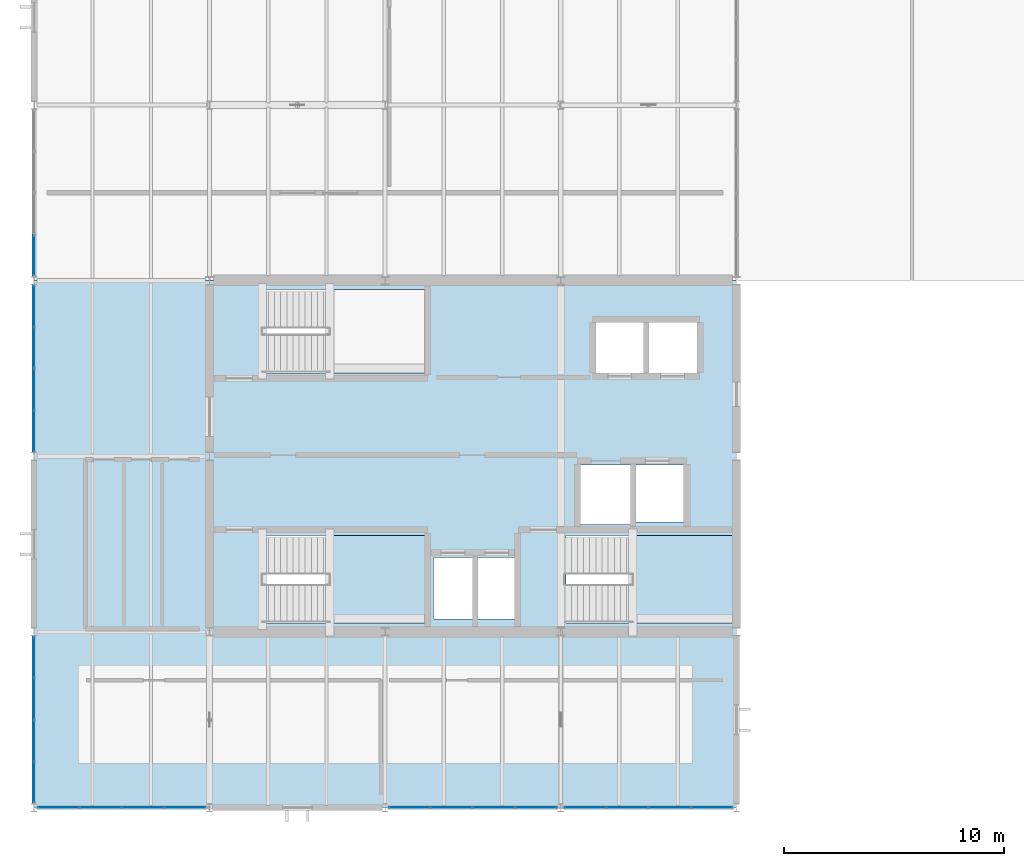
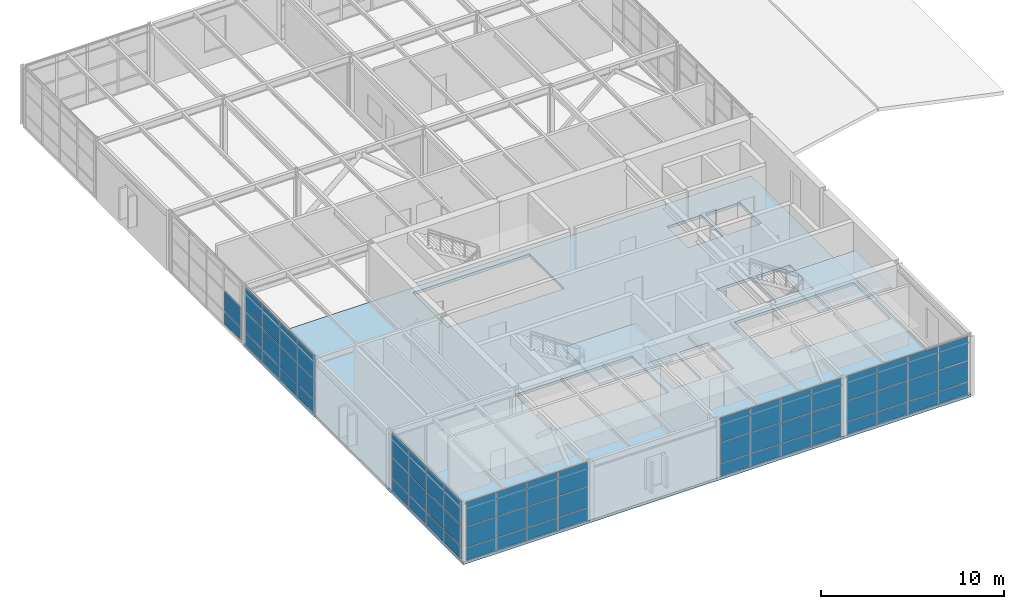
# One storey, part 13 of 20: 62 plates, 3 slabs, 8 elements without a shape of their own.
"""IFC4 building model written with IfcOpenShell, lengths in metres."""

from ifc_helpers import new_model, si_unit, direction, frame, origin, origin_2d, place, context, subcontext, project, spatial, polyline, rectangle, outline, extrude, material, layer, layer_set, type_object, element, aggregate, save


model = new_model("IFC4")

# Units and contexts
model_context = context("Model", 3, precision=1e-05, world=origin(), true_north=direction((0.0, 1.0)))
body_context = subcontext(model_context, "Body", "Model", "MODEL_VIEW")
ifc_project = project(units=[si_unit("LENGTHUNIT", "METRE"), si_unit("AREAUNIT", "SQUARE_METRE"), si_unit("VOLUMEUNIT", "CUBIC_METRE"), si_unit("PLANEANGLEUNIT", "RADIAN"), si_unit("MASSUNIT", "GRAM", prefix="KILO")], contexts=[model_context])

# Site, building, storey
site_placement = place(None, origin())
site = spatial("IfcSite", under=ifc_project, at=site_placement, CompositionType="ELEMENT")
building_placement = place(site_placement, origin())
building = spatial("IfcBuilding", under=site, at=building_placement, Name="Varnela Railside Interchange", CompositionType="ELEMENT")
storey_placement = place(building_placement, frame((0.0, 0.0, 28.0)))
storey = spatial("IfcBuildingStorey", under=building, at=storey_placement, Name="L06", CompositionType="ELEMENT", Elevation=28.0)

# Curtain wall, plates
ifc_material_1 = material(Name="Aluminium 6063-T6", Category="aluminium")
ifc_layer_1 = layer(ifc_material_1, 0.035888671875)
ifc_layer_set_1 = layer_set([ifc_layer_1], Name="Aluminium 6063-T6")
curtain_wall_type = type_object("IfcCurtainWallType", Name="Operations Wing Facade Curtain Wall CW-03", PredefinedType="USERDEFINED", material=ifc_layer_set_1)
curtain_wall_1_placement = place(storey_placement, origin())
curtain_wall_1 = element("IfcCurtainWall", 1, at=curtain_wall_1_placement, inside=storey, type_object=curtain_wall_type, Name="Curtain Wall CW-03 (L06) (CW-137)", ObjectType="CURTAIN WALL", PredefinedType="USERDEFINED")
ifc_material_2 = material(Name="Glass laminated double", Category="glass")
ifc_layer_2 = layer(ifc_material_2, 0.0400390625)
ifc_layer_set_2 = layer_set([ifc_layer_2], Name="Glass laminated double")
plate_type = type_object("IfcPlateType", Name="Acoustic Laminated Vision GL-03", PredefinedType="CURTAIN_PANEL", material=ifc_layer_set_2)
plate_1_placement = place(storey_placement, frame((34.888671875, 46.0, 0.06005859375), z_axis=(0.0, 0.0, 1.0), x_axis=(-1.0, 0.0, 0.0)))
plate_1 = element("IfcPlate", 2, at=plate_1_placement, type_object=plate_type, Name="CW-03 panel 1.1", PredefinedType="CURTAIN_PANEL", context=body_context, shape_type="SweptSolid", body=[
    extrude(rectangle(XDim=1.845703125, YDim=0.0400390625, at=origin_2d()), origin(), (0.0, 0.0, 1.0), 0.81005859375),
])
plate_2_placement = place(storey_placement, frame((34.888671875, 46.0, 0.93017578125), z_axis=(0.0, 0.0, 1.0), x_axis=(-1.0, 0.0, 0.0)))
plate_2 = element("IfcPlate", 3, at=plate_2_placement, type_object=plate_type, Name="CW-03 panel 1.2", PredefinedType="CURTAIN_PANEL", context=body_context, shape_type="SweptSolid", body=[
    extrude(rectangle(XDim=1.845703125, YDim=0.0400390625, at=origin_2d()), origin(), (0.0, 0.0, 1.0), 1.348388671875),
])
plate_3_placement = place(storey_placement, frame((34.888671875, 46.0, 2.33837890625), z_axis=(0.0, 0.0, 1.0), x_axis=(-1.0, 0.0, 0.0)))
plate_3 = element("IfcPlate", 4, at=plate_3_placement, type_object=plate_type, Name="CW-03 panel 1.3", PredefinedType="CURTAIN_PANEL", context=body_context, shape_type="SweptSolid", body=[
    extrude(rectangle(XDim=1.845703125, YDim=0.0400390625, at=origin_2d()), origin(), (0.0, 0.0, 1.0), 1.58154296875),
])
plate_4_placement = place(storey_placement, frame((32.9677734375, 46.0, 0.06005859375), z_axis=(0.0, 0.0, 1.0), x_axis=(-1.0, 0.0, 0.0)))
plate_4 = element("IfcPlate", 5, at=plate_4_placement, type_object=plate_type, Name="CW-03 panel 2.1", PredefinedType="CURTAIN_PANEL", context=body_context, shape_type="SweptSolid", body=[
    extrude(rectangle(XDim=1.875732421875, YDim=0.0400390625, at=origin_2d()), origin(), (0.0, 0.0, 1.0), 0.81005859375),
])
plate_5_placement = place(storey_placement, frame((32.9677734375, 46.0, 0.93017578125), z_axis=(0.0, 0.0, 1.0), x_axis=(-1.0, 0.0, 0.0)))
plate_5 = element("IfcPlate", 6, at=plate_5_placement, type_object=plate_type, Name="CW-03 panel 2.2", PredefinedType="CURTAIN_PANEL", context=body_context, shape_type="SweptSolid", body=[
    extrude(rectangle(XDim=1.875732421875, YDim=0.0400390625, at=origin_2d()), origin(), (0.0, 0.0, 1.0), 1.348388671875),
])
plate_6_placement = place(storey_placement, frame((32.9677734375, 46.0, 2.33837890625), z_axis=(0.0, 0.0, 1.0), x_axis=(-1.0, 0.0, 0.0)))
plate_6 = element("IfcPlate", 7, at=plate_6_placement, type_object=plate_type, Name="CW-03 panel 2.3", PredefinedType="CURTAIN_PANEL", context=body_context, shape_type="SweptSolid", body=[
    extrude(rectangle(XDim=1.875732421875, YDim=0.0400390625, at=origin_2d()), origin(), (0.0, 0.0, 1.0), 1.58154296875),
])
plate_7_placement = place(storey_placement, frame((31.0322265625, 46.0, 0.06005859375), z_axis=(0.0, 0.0, 1.0), x_axis=(-1.0, 0.0, 0.0)))
plate_7 = element("IfcPlate", 8, at=plate_7_placement, type_object=plate_type, Name="CW-03 panel 3.1", PredefinedType="CURTAIN_PANEL", context=body_context, shape_type="SweptSolid", body=[
    extrude(rectangle(XDim=1.875732421875, YDim=0.0400390625, at=origin_2d()), origin(), (0.0, 0.0, 1.0), 0.81005859375),
])
plate_8_placement = place(storey_placement, frame((31.0322265625, 46.0, 0.93017578125), z_axis=(0.0, 0.0, 1.0), x_axis=(-1.0, 0.0, 0.0)))
plate_8 = element("IfcPlate", 9, at=plate_8_placement, type_object=plate_type, Name="CW-03 panel 3.2", PredefinedType="CURTAIN_PANEL", context=body_context, shape_type="SweptSolid", body=[
    extrude(rectangle(XDim=1.875732421875, YDim=0.0400390625, at=origin_2d()), origin(), (0.0, 0.0, 1.0), 1.348388671875),
])
plate_9_placement = place(storey_placement, frame((31.0322265625, 46.0, 2.33837890625), z_axis=(0.0, 0.0, 1.0), x_axis=(-1.0, 0.0, 0.0)))
plate_9 = element("IfcPlate", 10, at=plate_9_placement, type_object=plate_type, Name="CW-03 panel 3.3", PredefinedType="CURTAIN_PANEL", context=body_context, shape_type="SweptSolid", body=[
    extrude(rectangle(XDim=1.875732421875, YDim=0.0400390625, at=origin_2d()), origin(), (0.0, 0.0, 1.0), 1.58154296875),
])
plate_10_placement = place(storey_placement, frame((29.111328125, 46.0, 0.06005859375), z_axis=(0.0, 0.0, 1.0), x_axis=(-1.0, 0.0, 0.0)))
plate_10 = element("IfcPlate", 11, at=plate_10_placement, type_object=plate_type, Name="CW-03 panel 4.1", PredefinedType="CURTAIN_PANEL", context=body_context, shape_type="SweptSolid", body=[
    extrude(rectangle(XDim=1.845703125, YDim=0.0400390625, at=origin_2d()), origin(), (0.0, 0.0, 1.0), 0.81005859375),
])
plate_11_placement = place(storey_placement, frame((29.111328125, 46.0, 0.93017578125), z_axis=(0.0, 0.0, 1.0), x_axis=(-1.0, 0.0, 0.0)))
plate_11 = element("IfcPlate", 12, at=plate_11_placement, type_object=plate_type, Name="CW-03 panel 4.2", PredefinedType="CURTAIN_PANEL", context=body_context, shape_type="SweptSolid", body=[
    extrude(rectangle(XDim=1.845703125, YDim=0.0400390625, at=origin_2d()), origin(), (0.0, 0.0, 1.0), 1.348388671875),
])
plate_12_placement = place(storey_placement, frame((29.111328125, 46.0, 2.33837890625), z_axis=(0.0, 0.0, 1.0), x_axis=(-1.0, 0.0, 0.0)))
plate_12 = element("IfcPlate", 13, at=plate_12_placement, type_object=plate_type, Name="CW-03 panel 4.3", PredefinedType="CURTAIN_PANEL", context=body_context, shape_type="SweptSolid", body=[
    extrude(rectangle(XDim=1.845703125, YDim=0.0400390625, at=origin_2d()), origin(), (0.0, 0.0, 1.0), 1.58154296875),
])
aggregate(curtain_wall_1, [plate_1, plate_2, plate_3, plate_4, plate_5, plate_6, plate_7, plate_8, plate_9, plate_10, plate_11, plate_12])

curtain_wall_2_placement = place(storey_placement, origin())
curtain_wall_2 = element("IfcCurtainWall", 14, at=curtain_wall_2_placement, inside=storey, type_object=curtain_wall_type, Name="Curtain Wall CW-03 (L06) (CW-144)", ObjectType="CURTAIN WALL", PredefinedType="USERDEFINED")
plate_13_placement = place(storey_placement, frame((26.888671875, 46.0, 0.06005859375), z_axis=(0.0, 0.0, 1.0), x_axis=(-1.0, 0.0, 0.0)))
plate_13 = element("IfcPlate", 15, at=plate_13_placement, type_object=plate_type, Name="CW-03 panel 1.1", PredefinedType="CURTAIN_PANEL", context=body_context, shape_type="SweptSolid", body=[
    extrude(rectangle(XDim=1.845703125, YDim=0.0400390625, at=origin_2d()), origin(), (0.0, 0.0, 1.0), 0.81005859375),
])
plate_14_placement = place(storey_placement, frame((26.888671875, 46.0, 0.93017578125), z_axis=(0.0, 0.0, 1.0), x_axis=(-1.0, 0.0, 0.0)))
plate_14 = element("IfcPlate", 16, at=plate_14_placement, type_object=plate_type, Name="CW-03 panel 1.2", PredefinedType="CURTAIN_PANEL", context=body_context, shape_type="SweptSolid", body=[
    extrude(rectangle(XDim=1.845703125, YDim=0.0400390625, at=origin_2d()), origin(), (0.0, 0.0, 1.0), 1.348388671875),
])
plate_15_placement = place(storey_placement, frame((26.888671875, 46.0, 2.33837890625), z_axis=(0.0, 0.0, 1.0), x_axis=(-1.0, 0.0, 0.0)))
plate_15 = element("IfcPlate", 17, at=plate_15_placement, type_object=plate_type, Name="CW-03 panel 1.3", PredefinedType="CURTAIN_PANEL", context=body_context, shape_type="SweptSolid", body=[
    extrude(rectangle(XDim=1.845703125, YDim=0.0400390625, at=origin_2d()), origin(), (0.0, 0.0, 1.0), 1.58154296875),
])
plate_16_placement = place(storey_placement, frame((24.9677734375, 46.0, 0.06005859375), z_axis=(0.0, 0.0, 1.0), x_axis=(-1.0, 0.0, 0.0)))
plate_16 = element("IfcPlate", 18, at=plate_16_placement, type_object=plate_type, Name="CW-03 panel 2.1", PredefinedType="CURTAIN_PANEL", context=body_context, shape_type="SweptSolid", body=[
    extrude(rectangle(XDim=1.875732421875, YDim=0.0400390625, at=origin_2d()), origin(), (0.0, 0.0, 1.0), 0.81005859375),
])
plate_17_placement = place(storey_placement, frame((24.9677734375, 46.0, 0.93017578125), z_axis=(0.0, 0.0, 1.0), x_axis=(-1.0, 0.0, 0.0)))
plate_17 = element("IfcPlate", 19, at=plate_17_placement, type_object=plate_type, Name="CW-03 panel 2.2", PredefinedType="CURTAIN_PANEL", context=body_context, shape_type="SweptSolid", body=[
    extrude(rectangle(XDim=1.875732421875, YDim=0.0400390625, at=origin_2d()), origin(), (0.0, 0.0, 1.0), 1.348388671875),
])
plate_18_placement = place(storey_placement, frame((24.9677734375, 46.0, 2.33837890625), z_axis=(0.0, 0.0, 1.0), x_axis=(-1.0, 0.0, 0.0)))
plate_18 = element("IfcPlate", 20, at=plate_18_placement, type_object=plate_type, Name="CW-03 panel 2.3", PredefinedType="CURTAIN_PANEL", context=body_context, shape_type="SweptSolid", body=[
    extrude(rectangle(XDim=1.875732421875, YDim=0.0400390625, at=origin_2d()), origin(), (0.0, 0.0, 1.0), 1.58154296875),
])
plate_19_placement = place(storey_placement, frame((23.0322265625, 46.0, 0.06005859375), z_axis=(0.0, 0.0, 1.0), x_axis=(-1.0, 0.0, 0.0)))
plate_19 = element("IfcPlate", 21, at=plate_19_placement, type_object=plate_type, Name="CW-03 panel 3.1", PredefinedType="CURTAIN_PANEL", context=body_context, shape_type="SweptSolid", body=[
    extrude(rectangle(XDim=1.875732421875, YDim=0.0400390625, at=origin_2d()), origin(), (0.0, 0.0, 1.0), 0.81005859375),
])
plate_20_placement = place(storey_placement, frame((23.0322265625, 46.0, 0.93017578125), z_axis=(0.0, 0.0, 1.0), x_axis=(-1.0, 0.0, 0.0)))
plate_20 = element("IfcPlate", 22, at=plate_20_placement, type_object=plate_type, Name="CW-03 panel 3.2", PredefinedType="CURTAIN_PANEL", context=body_context, shape_type="SweptSolid", body=[
    extrude(rectangle(XDim=1.875732421875, YDim=0.0400390625, at=origin_2d()), origin(), (0.0, 0.0, 1.0), 1.348388671875),
])
plate_21_placement = place(storey_placement, frame((23.0322265625, 46.0, 2.33837890625), z_axis=(0.0, 0.0, 1.0), x_axis=(-1.0, 0.0, 0.0)))
plate_21 = element("IfcPlate", 23, at=plate_21_placement, type_object=plate_type, Name="CW-03 panel 3.3", PredefinedType="CURTAIN_PANEL", context=body_context, shape_type="SweptSolid", body=[
    extrude(rectangle(XDim=1.875732421875, YDim=0.0400390625, at=origin_2d()), origin(), (0.0, 0.0, 1.0), 1.58154296875),
])
plate_22_placement = place(storey_placement, frame((21.111328125, 46.0, 0.06005859375), z_axis=(0.0, 0.0, 1.0), x_axis=(-1.0, 0.0, 0.0)))
plate_22 = element("IfcPlate", 24, at=plate_22_placement, type_object=plate_type, Name="CW-03 panel 4.1", PredefinedType="CURTAIN_PANEL", context=body_context, shape_type="SweptSolid", body=[
    extrude(rectangle(XDim=1.845703125, YDim=0.0400390625, at=origin_2d()), origin(), (0.0, 0.0, 1.0), 0.81005859375),
])
plate_23_placement = place(storey_placement, frame((21.111328125, 46.0, 0.93017578125), z_axis=(0.0, 0.0, 1.0), x_axis=(-1.0, 0.0, 0.0)))
plate_23 = element("IfcPlate", 25, at=plate_23_placement, type_object=plate_type, Name="CW-03 panel 4.2", PredefinedType="CURTAIN_PANEL", context=body_context, shape_type="SweptSolid", body=[
    extrude(rectangle(XDim=1.845703125, YDim=0.0400390625, at=origin_2d()), origin(), (0.0, 0.0, 1.0), 1.348388671875),
])
plate_24_placement = place(storey_placement, frame((21.111328125, 46.0, 2.33837890625), z_axis=(0.0, 0.0, 1.0), x_axis=(-1.0, 0.0, 0.0)))
plate_24 = element("IfcPlate", 26, at=plate_24_placement, type_object=plate_type, Name="CW-03 panel 4.3", PredefinedType="CURTAIN_PANEL", context=body_context, shape_type="SweptSolid", body=[
    extrude(rectangle(XDim=1.845703125, YDim=0.0400390625, at=origin_2d()), origin(), (0.0, 0.0, 1.0), 1.58154296875),
])
aggregate(curtain_wall_2, [plate_13, plate_14, plate_15, plate_16, plate_17, plate_18, plate_19, plate_20, plate_21, plate_22, plate_23, plate_24])

curtain_wall_3_placement = place(storey_placement, origin())
curtain_wall_3 = element("IfcCurtainWall", 27, at=curtain_wall_3_placement, inside=storey, type_object=curtain_wall_type, Name="Curtain Wall CW-03 (L06) (CW-145)", ObjectType="CURTAIN WALL", PredefinedType="USERDEFINED")
plate_25_placement = place(storey_placement, frame((10.888671875, 46.0, 0.06005859375), z_axis=(0.0, 0.0, 1.0), x_axis=(-1.0, 0.0, 0.0)))
plate_25 = element("IfcPlate", 28, at=plate_25_placement, type_object=plate_type, Name="CW-03 panel 1.1", PredefinedType="CURTAIN_PANEL", context=body_context, shape_type="SweptSolid", body=[
    extrude(rectangle(XDim=1.845703125, YDim=0.0400390625, at=origin_2d()), origin(), (0.0, 0.0, 1.0), 0.81005859375),
])
plate_26_placement = place(storey_placement, frame((10.888671875, 46.0, 0.93017578125), z_axis=(0.0, 0.0, 1.0), x_axis=(-1.0, 0.0, 0.0)))
plate_26 = element("IfcPlate", 29, at=plate_26_placement, type_object=plate_type, Name="CW-03 panel 1.2", PredefinedType="CURTAIN_PANEL", context=body_context, shape_type="SweptSolid", body=[
    extrude(rectangle(XDim=1.845703125, YDim=0.0400390625, at=origin_2d()), origin(), (0.0, 0.0, 1.0), 1.348388671875),
])
plate_27_placement = place(storey_placement, frame((10.888671875, 46.0, 2.33837890625), z_axis=(0.0, 0.0, 1.0), x_axis=(-1.0, 0.0, 0.0)))
plate_27 = element("IfcPlate", 30, at=plate_27_placement, type_object=plate_type, Name="CW-03 panel 1.3", PredefinedType="CURTAIN_PANEL", context=body_context, shape_type="SweptSolid", body=[
    extrude(rectangle(XDim=1.845703125, YDim=0.0400390625, at=origin_2d()), origin(), (0.0, 0.0, 1.0), 1.58154296875),
])
plate_28_placement = place(storey_placement, frame((8.9677734375, 46.0, 0.06005859375), z_axis=(0.0, 0.0, 1.0), x_axis=(-1.0, 0.0, 0.0)))
plate_28 = element("IfcPlate", 31, at=plate_28_placement, type_object=plate_type, Name="CW-03 panel 2.1", PredefinedType="CURTAIN_PANEL", context=body_context, shape_type="SweptSolid", body=[
    extrude(rectangle(XDim=1.875732421875, YDim=0.0400390625, at=origin_2d()), origin(), (0.0, 0.0, 1.0), 0.81005859375),
])
plate_29_placement = place(storey_placement, frame((8.9677734375, 46.0, 0.93017578125), z_axis=(0.0, 0.0, 1.0), x_axis=(-1.0, 0.0, 0.0)))
plate_29 = element("IfcPlate", 32, at=plate_29_placement, type_object=plate_type, Name="CW-03 panel 2.2", PredefinedType="CURTAIN_PANEL", context=body_context, shape_type="SweptSolid", body=[
    extrude(rectangle(XDim=1.875732421875, YDim=0.0400390625, at=origin_2d()), origin(), (0.0, 0.0, 1.0), 1.348388671875),
])
plate_30_placement = place(storey_placement, frame((8.9677734375, 46.0, 2.33837890625), z_axis=(0.0, 0.0, 1.0), x_axis=(-1.0, 0.0, 0.0)))
plate_30 = element("IfcPlate", 33, at=plate_30_placement, type_object=plate_type, Name="CW-03 panel 2.3", PredefinedType="CURTAIN_PANEL", context=body_context, shape_type="SweptSolid", body=[
    extrude(rectangle(XDim=1.875732421875, YDim=0.0400390625, at=origin_2d()), origin(), (0.0, 0.0, 1.0), 1.58154296875),
])
plate_31_placement = place(storey_placement, frame((7.0322265625, 46.0, 0.06005859375), z_axis=(0.0, 0.0, 1.0), x_axis=(-1.0, 0.0, 0.0)))
plate_31 = element("IfcPlate", 34, at=plate_31_placement, type_object=plate_type, Name="CW-03 panel 3.1", PredefinedType="CURTAIN_PANEL", context=body_context, shape_type="SweptSolid", body=[
    extrude(rectangle(XDim=1.875732421875, YDim=0.0400390625, at=origin_2d()), origin(), (0.0, 0.0, 1.0), 0.81005859375),
])
plate_32_placement = place(storey_placement, frame((7.0322265625, 46.0, 0.93017578125), z_axis=(0.0, 0.0, 1.0), x_axis=(-1.0, 0.0, 0.0)))
plate_32 = element("IfcPlate", 35, at=plate_32_placement, type_object=plate_type, Name="CW-03 panel 3.2", PredefinedType="CURTAIN_PANEL", context=body_context, shape_type="SweptSolid", body=[
    extrude(rectangle(XDim=1.875732421875, YDim=0.0400390625, at=origin_2d()), origin(), (0.0, 0.0, 1.0), 1.348388671875),
])
plate_33_placement = place(storey_placement, frame((7.0322265625, 46.0, 2.33837890625), z_axis=(0.0, 0.0, 1.0), x_axis=(-1.0, 0.0, 0.0)))
plate_33 = element("IfcPlate", 36, at=plate_33_placement, type_object=plate_type, Name="CW-03 panel 3.3", PredefinedType="CURTAIN_PANEL", context=body_context, shape_type="SweptSolid", body=[
    extrude(rectangle(XDim=1.875732421875, YDim=0.0400390625, at=origin_2d()), origin(), (0.0, 0.0, 1.0), 1.58154296875),
])
plate_34_placement = place(storey_placement, frame((5.111328125, 46.0, 0.06005859375), z_axis=(0.0, 0.0, 1.0), x_axis=(-1.0, 0.0, 0.0)))
plate_34 = element("IfcPlate", 37, at=plate_34_placement, type_object=plate_type, Name="CW-03 panel 4.1", PredefinedType="CURTAIN_PANEL", context=body_context, shape_type="SweptSolid", body=[
    extrude(rectangle(XDim=1.845703125, YDim=0.0400390625, at=origin_2d()), origin(), (0.0, 0.0, 1.0), 0.81005859375),
])
plate_35_placement = place(storey_placement, frame((5.111328125, 46.0, 0.93017578125), z_axis=(0.0, 0.0, 1.0), x_axis=(-1.0, 0.0, 0.0)))
plate_35 = element("IfcPlate", 38, at=plate_35_placement, type_object=plate_type, Name="CW-03 panel 4.2", PredefinedType="CURTAIN_PANEL", context=body_context, shape_type="SweptSolid", body=[
    extrude(rectangle(XDim=1.845703125, YDim=0.0400390625, at=origin_2d()), origin(), (0.0, 0.0, 1.0), 1.348388671875),
])
plate_36_placement = place(storey_placement, frame((5.111328125, 46.0, 2.33837890625), z_axis=(0.0, 0.0, 1.0), x_axis=(-1.0, 0.0, 0.0)))
plate_36 = element("IfcPlate", 39, at=plate_36_placement, type_object=plate_type, Name="CW-03 panel 4.3", PredefinedType="CURTAIN_PANEL", context=body_context, shape_type="SweptSolid", body=[
    extrude(rectangle(XDim=1.845703125, YDim=0.0400390625, at=origin_2d()), origin(), (0.0, 0.0, 1.0), 1.58154296875),
])
aggregate(curtain_wall_3, [plate_25, plate_26, plate_27, plate_28, plate_29, plate_30, plate_31, plate_32, plate_33, plate_34, plate_35, plate_36])

curtain_wall_4_placement = place(storey_placement, origin())
curtain_wall_4 = element("IfcCurtainWall", 40, at=curtain_wall_4_placement, inside=storey, type_object=curtain_wall_type, Name="Curtain Wall CW-03 (L06) (CW-146)", ObjectType="CURTAIN WALL", PredefinedType="USERDEFINED")
plate_37_placement = place(storey_placement, frame((4.0, 47.151123046875, 0.06005859375), z_axis=(0.0, 0.0, 1.0), x_axis=(0.0, 1.0, 0.0)))
plate_37 = element("IfcPlate", 41, at=plate_37_placement, type_object=plate_type, Name="CW-03 panel 1.1", PredefinedType="CURTAIN_PANEL", context=body_context, shape_type="SweptSolid", body=[
    extrude(rectangle(XDim=1.8193359375, YDim=0.0400390625, at=origin_2d()), origin(), (0.0, 0.0, 1.0), 0.81005859375),
])
plate_38_placement = place(storey_placement, frame((4.0, 47.151123046875, 0.93017578125), z_axis=(0.0, 0.0, 1.0), x_axis=(0.0, 1.0, 0.0)))
plate_38 = element("IfcPlate", 42, at=plate_38_placement, type_object=plate_type, Name="CW-03 panel 1.2", PredefinedType="CURTAIN_PANEL", context=body_context, shape_type="SweptSolid", body=[
    extrude(rectangle(XDim=1.8193359375, YDim=0.0400390625, at=origin_2d()), origin(), (0.0, 0.0, 1.0), 1.348388671875),
])
plate_39_placement = place(storey_placement, frame((4.0, 47.151123046875, 2.33837890625), z_axis=(0.0, 0.0, 1.0), x_axis=(0.0, 1.0, 0.0)))
plate_39 = element("IfcPlate", 43, at=plate_39_placement, type_object=plate_type, Name="CW-03 panel 1.3", PredefinedType="CURTAIN_PANEL", context=body_context, shape_type="SweptSolid", body=[
    extrude(rectangle(XDim=1.8193359375, YDim=0.0400390625, at=origin_2d()), origin(), (0.0, 0.0, 1.0), 1.58154296875),
])
plate_40_placement = place(storey_placement, frame((4.0, 49.04541015625, 0.06005859375), z_axis=(0.0, 0.0, 1.0), x_axis=(0.0, 1.0, 0.0)))
plate_40 = element("IfcPlate", 44, at=plate_40_placement, type_object=plate_type, Name="CW-03 panel 2.1", PredefinedType="CURTAIN_PANEL", context=body_context, shape_type="SweptSolid", body=[
    extrude(rectangle(XDim=1.849365234375, YDim=0.0400390625, at=origin_2d()), origin(), (0.0, 0.0, 1.0), 0.81005859375),
])
plate_41_placement = place(storey_placement, frame((4.0, 49.04541015625, 0.93017578125), z_axis=(0.0, 0.0, 1.0), x_axis=(0.0, 1.0, 0.0)))
plate_41 = element("IfcPlate", 45, at=plate_41_placement, type_object=plate_type, Name="CW-03 panel 2.2", PredefinedType="CURTAIN_PANEL", context=body_context, shape_type="SweptSolid", body=[
    extrude(rectangle(XDim=1.849365234375, YDim=0.0400390625, at=origin_2d()), origin(), (0.0, 0.0, 1.0), 1.348388671875),
])
plate_42_placement = place(storey_placement, frame((4.0, 49.04541015625, 2.33837890625), z_axis=(0.0, 0.0, 1.0), x_axis=(0.0, 1.0, 0.0)))
plate_42 = element("IfcPlate", 46, at=plate_42_placement, type_object=plate_type, Name="CW-03 panel 2.3", PredefinedType="CURTAIN_PANEL", context=body_context, shape_type="SweptSolid", body=[
    extrude(rectangle(XDim=1.849365234375, YDim=0.0400390625, at=origin_2d()), origin(), (0.0, 0.0, 1.0), 1.58154296875),
])
plate_43_placement = place(storey_placement, frame((4.0, 50.95458984375, 0.06005859375), z_axis=(0.0, 0.0, 1.0), x_axis=(0.0, 1.0, 0.0)))
plate_43 = element("IfcPlate", 47, at=plate_43_placement, type_object=plate_type, Name="CW-03 panel 3.1", PredefinedType="CURTAIN_PANEL", context=body_context, shape_type="SweptSolid", body=[
    extrude(rectangle(XDim=1.849365234375, YDim=0.0400390625, at=origin_2d()), origin(), (0.0, 0.0, 1.0), 0.81005859375),
])
plate_44_placement = place(storey_placement, frame((4.0, 50.95458984375, 0.93017578125), z_axis=(0.0, 0.0, 1.0), x_axis=(0.0, 1.0, 0.0)))
plate_44 = element("IfcPlate", 48, at=plate_44_placement, type_object=plate_type, Name="CW-03 panel 3.2", PredefinedType="CURTAIN_PANEL", context=body_context, shape_type="SweptSolid", body=[
    extrude(rectangle(XDim=1.849365234375, YDim=0.0400390625, at=origin_2d()), origin(), (0.0, 0.0, 1.0), 1.348388671875),
])
plate_45_placement = place(storey_placement, frame((4.0, 50.95458984375, 2.33837890625), z_axis=(0.0, 0.0, 1.0), x_axis=(0.0, 1.0, 0.0)))
plate_45 = element("IfcPlate", 49, at=plate_45_placement, type_object=plate_type, Name="CW-03 panel 3.3", PredefinedType="CURTAIN_PANEL", context=body_context, shape_type="SweptSolid", body=[
    extrude(rectangle(XDim=1.849365234375, YDim=0.0400390625, at=origin_2d()), origin(), (0.0, 0.0, 1.0), 1.58154296875),
])
plate_46_placement = place(storey_placement, frame((4.0, 52.848876953125, 0.06005859375), z_axis=(0.0, 0.0, 1.0), x_axis=(0.0, 1.0, 0.0)))
plate_46 = element("IfcPlate", 50, at=plate_46_placement, type_object=plate_type, Name="CW-03 panel 4.1", PredefinedType="CURTAIN_PANEL", context=body_context, shape_type="SweptSolid", body=[
    extrude(rectangle(XDim=1.8193359375, YDim=0.0400390625, at=origin_2d()), origin(), (0.0, 0.0, 1.0), 0.81005859375),
])
plate_47_placement = place(storey_placement, frame((4.0, 52.848876953125, 0.93017578125), z_axis=(0.0, 0.0, 1.0), x_axis=(0.0, 1.0, 0.0)))
plate_47 = element("IfcPlate", 51, at=plate_47_placement, type_object=plate_type, Name="CW-03 panel 4.2", PredefinedType="CURTAIN_PANEL", context=body_context, shape_type="SweptSolid", body=[
    extrude(rectangle(XDim=1.8193359375, YDim=0.0400390625, at=origin_2d()), origin(), (0.0, 0.0, 1.0), 1.348388671875),
])
plate_48_placement = place(storey_placement, frame((4.0, 52.848876953125, 2.33837890625), z_axis=(0.0, 0.0, 1.0), x_axis=(0.0, 1.0, 0.0)))
plate_48 = element("IfcPlate", 52, at=plate_48_placement, type_object=plate_type, Name="CW-03 panel 4.3", PredefinedType="CURTAIN_PANEL", context=body_context, shape_type="SweptSolid", body=[
    extrude(rectangle(XDim=1.8193359375, YDim=0.0400390625, at=origin_2d()), origin(), (0.0, 0.0, 1.0), 1.58154296875),
])
aggregate(curtain_wall_4, [plate_37, plate_38, plate_39, plate_40, plate_41, plate_42, plate_43, plate_44, plate_45, plate_46, plate_47, plate_48])

curtain_wall_5_placement = place(storey_placement, origin())
curtain_wall_5 = element("IfcCurtainWall", 53, at=curtain_wall_5_placement, inside=storey, type_object=curtain_wall_type, Name="Curtain Wall CW-03 (L06) (CW-147)", ObjectType="CURTAIN WALL", PredefinedType="USERDEFINED")
plate_49_placement = place(storey_placement, frame((4.0, 63.151123046875, 0.06005859375), z_axis=(0.0, 0.0, 1.0), x_axis=(0.0, 1.0, 0.0)))
plate_49 = element("IfcPlate", 54, at=plate_49_placement, type_object=plate_type, Name="CW-03 panel 1.1", PredefinedType="CURTAIN_PANEL", context=body_context, shape_type="SweptSolid", body=[
    extrude(rectangle(XDim=1.8193359375, YDim=0.0400390625, at=origin_2d()), origin(), (0.0, 0.0, 1.0), 0.81005859375),
])
plate_50_placement = place(storey_placement, frame((4.0, 63.151123046875, 0.93017578125), z_axis=(0.0, 0.0, 1.0), x_axis=(0.0, 1.0, 0.0)))
plate_50 = element("IfcPlate", 55, at=plate_50_placement, type_object=plate_type, Name="CW-03 panel 1.2", PredefinedType="CURTAIN_PANEL", context=body_context, shape_type="SweptSolid", body=[
    extrude(rectangle(XDim=1.8193359375, YDim=0.0400390625, at=origin_2d()), origin(), (0.0, 0.0, 1.0), 1.348388671875),
])
plate_51_placement = place(storey_placement, frame((4.0, 63.151123046875, 2.33837890625), z_axis=(0.0, 0.0, 1.0), x_axis=(0.0, 1.0, 0.0)))
plate_51 = element("IfcPlate", 56, at=plate_51_placement, type_object=plate_type, Name="CW-03 panel 1.3", PredefinedType="CURTAIN_PANEL", context=body_context, shape_type="SweptSolid", body=[
    extrude(rectangle(XDim=1.8193359375, YDim=0.0400390625, at=origin_2d()), origin(), (0.0, 0.0, 1.0), 1.58154296875),
])
plate_52_placement = place(storey_placement, frame((4.0, 65.04541015625, 0.06005859375), z_axis=(0.0, 0.0, 1.0), x_axis=(0.0, 1.0, 0.0)))
plate_52 = element("IfcPlate", 57, at=plate_52_placement, type_object=plate_type, Name="CW-03 panel 2.1", PredefinedType="CURTAIN_PANEL", context=body_context, shape_type="SweptSolid", body=[
    extrude(rectangle(XDim=1.849365234375, YDim=0.0400390625, at=origin_2d()), origin(), (0.0, 0.0, 1.0), 0.81005859375),
])
plate_53_placement = place(storey_placement, frame((4.0, 65.04541015625, 0.93017578125), z_axis=(0.0, 0.0, 1.0), x_axis=(0.0, 1.0, 0.0)))
plate_53 = element("IfcPlate", 58, at=plate_53_placement, type_object=plate_type, Name="CW-03 panel 2.2", PredefinedType="CURTAIN_PANEL", context=body_context, shape_type="SweptSolid", body=[
    extrude(rectangle(XDim=1.849365234375, YDim=0.0400390625, at=origin_2d()), origin(), (0.0, 0.0, 1.0), 1.348388671875),
])
plate_54_placement = place(storey_placement, frame((4.0, 65.04541015625, 2.33837890625), z_axis=(0.0, 0.0, 1.0), x_axis=(0.0, 1.0, 0.0)))
plate_54 = element("IfcPlate", 59, at=plate_54_placement, type_object=plate_type, Name="CW-03 panel 2.3", PredefinedType="CURTAIN_PANEL", context=body_context, shape_type="SweptSolid", body=[
    extrude(rectangle(XDim=1.849365234375, YDim=0.0400390625, at=origin_2d()), origin(), (0.0, 0.0, 1.0), 1.58154296875),
])
plate_55_placement = place(storey_placement, frame((4.0, 66.95458984375, 0.06005859375), z_axis=(0.0, 0.0, 1.0), x_axis=(0.0, 1.0, 0.0)))
plate_55 = element("IfcPlate", 60, at=plate_55_placement, type_object=plate_type, Name="CW-03 panel 3.1", PredefinedType="CURTAIN_PANEL", context=body_context, shape_type="SweptSolid", body=[
    extrude(rectangle(XDim=1.849365234375, YDim=0.0400390625, at=origin_2d()), origin(), (0.0, 0.0, 1.0), 0.81005859375),
])
plate_56_placement = place(storey_placement, frame((4.0, 66.95458984375, 0.93017578125), z_axis=(0.0, 0.0, 1.0), x_axis=(0.0, 1.0, 0.0)))
plate_56 = element("IfcPlate", 61, at=plate_56_placement, type_object=plate_type, Name="CW-03 panel 3.2", PredefinedType="CURTAIN_PANEL", context=body_context, shape_type="SweptSolid", body=[
    extrude(rectangle(XDim=1.849365234375, YDim=0.0400390625, at=origin_2d()), origin(), (0.0, 0.0, 1.0), 1.348388671875),
])
plate_57_placement = place(storey_placement, frame((4.0, 66.95458984375, 2.33837890625), z_axis=(0.0, 0.0, 1.0), x_axis=(0.0, 1.0, 0.0)))
plate_57 = element("IfcPlate", 62, at=plate_57_placement, type_object=plate_type, Name="CW-03 panel 3.3", PredefinedType="CURTAIN_PANEL", context=body_context, shape_type="SweptSolid", body=[
    extrude(rectangle(XDim=1.849365234375, YDim=0.0400390625, at=origin_2d()), origin(), (0.0, 0.0, 1.0), 1.58154296875),
])
plate_58_placement = place(storey_placement, frame((4.0, 68.848876953125, 0.06005859375), z_axis=(0.0, 0.0, 1.0), x_axis=(0.0, 1.0, 0.0)))
plate_58 = element("IfcPlate", 63, at=plate_58_placement, type_object=plate_type, Name="CW-03 panel 4.1", PredefinedType="CURTAIN_PANEL", context=body_context, shape_type="SweptSolid", body=[
    extrude(rectangle(XDim=1.8193359375, YDim=0.0400390625, at=origin_2d()), origin(), (0.0, 0.0, 1.0), 0.81005859375),
])
plate_59_placement = place(storey_placement, frame((4.0, 68.848876953125, 0.93017578125), z_axis=(0.0, 0.0, 1.0), x_axis=(0.0, 1.0, 0.0)))
plate_59 = element("IfcPlate", 64, at=plate_59_placement, type_object=plate_type, Name="CW-03 panel 4.2", PredefinedType="CURTAIN_PANEL", context=body_context, shape_type="SweptSolid", body=[
    extrude(rectangle(XDim=1.8193359375, YDim=0.0400390625, at=origin_2d()), origin(), (0.0, 0.0, 1.0), 1.348388671875),
])
plate_60_placement = place(storey_placement, frame((4.0, 68.848876953125, 2.33837890625), z_axis=(0.0, 0.0, 1.0), x_axis=(0.0, 1.0, 0.0)))
plate_60 = element("IfcPlate", 65, at=plate_60_placement, type_object=plate_type, Name="CW-03 panel 4.3", PredefinedType="CURTAIN_PANEL", context=body_context, shape_type="SweptSolid", body=[
    extrude(rectangle(XDim=1.8193359375, YDim=0.0400390625, at=origin_2d()), origin(), (0.0, 0.0, 1.0), 1.58154296875),
])
aggregate(curtain_wall_5, [plate_49, plate_50, plate_51, plate_52, plate_53, plate_54, plate_55, plate_56, plate_57, plate_58, plate_59, plate_60])

curtain_wall_6_placement = place(storey_placement, origin())
curtain_wall_6 = element("IfcCurtainWall", 66, at=curtain_wall_6_placement, inside=storey, type_object=curtain_wall_type, Name="Curtain Wall CW-03 (L06) (CW-148)", ObjectType="CURTAIN WALL", PredefinedType="USERDEFINED")
plate_61_placement = place(storey_placement, frame((4.0, 71.151123046875, 0.06005859375), z_axis=(0.0, 0.0, 1.0), x_axis=(0.0, 1.0, 0.0)))
plate_61 = element("IfcPlate", 67, at=plate_61_placement, type_object=plate_type, Name="CW-03 panel 1.1", PredefinedType="CURTAIN_PANEL", context=body_context, shape_type="SweptSolid", body=[
    extrude(rectangle(XDim=1.8193359375, YDim=0.0400390625, at=origin_2d()), origin(), (0.0, 0.0, 1.0), 0.81005859375),
])
plate_62_placement = place(storey_placement, frame((4.0, 71.151123046875, 0.93017578125), z_axis=(0.0, 0.0, 1.0), x_axis=(0.0, 1.0, 0.0)))
plate_62 = element("IfcPlate", 68, at=plate_62_placement, type_object=plate_type, Name="CW-03 panel 1.2", PredefinedType="CURTAIN_PANEL", context=body_context, shape_type="SweptSolid", body=[
    extrude(rectangle(XDim=1.8193359375, YDim=0.0400390625, at=origin_2d()), origin(), (0.0, 0.0, 1.0), 1.348388671875),
])
aggregate(curtain_wall_6, [plate_61, plate_62])

# Stair, slab
ifc_material_3 = material(Name="Concrete C40", Category="concrete")
stair_type = type_object("IfcStairType", Name="Core Pressurized Stair ST-165", PredefinedType="TWO_STRAIGHT_RUN_STAIR", material=ifc_material_3)
stair_1_placement = place(storey_placement, origin())
stair_1 = element("IfcStair", 69, at=stair_1_placement, inside=storey, type_object=stair_type, Name="Stair ST-T1 (L06) (SF-211)", PredefinedType="TWO_STRAIGHT_RUN_STAIR")
ifc_layer_3 = layer(ifc_material_3, 0.159912109375)
ifc_layer_set_3 = layer_set([ifc_layer_3], Name="Concrete C40")
slab_type_1 = type_object("IfcSlabType", Name="Stair Half-Landing Slab SL-LD", PredefinedType="LANDING", material=ifc_layer_set_3)
slab_1_placement = place(storey_placement, frame((0.0, 0.0, 1.93994140625)))
slab_1 = element("IfcSlab", 70, at=slab_1_placement, type_object=slab_type_1, Name="ST-T1 landing 1 (SL-0206)", PredefinedType="LANDING", context=body_context, shape_type="SweptSolid", body=[
    extrude(outline(polyline([(17.449951171875, 54.39990234375), (22.06005859375, 54.39990234375), (22.06005859375, 58.39990234375), (17.449951171875, 58.39990234375), (17.449951171875, 54.39990234375)])), origin(), (0.0, 0.0, 1.0), 0.16015625),
])
aggregate(stair_1, [slab_1])

stair_2_placement = place(storey_placement, origin())
stair_2 = element("IfcStair", 71, at=stair_2_placement, inside=storey, type_object=stair_type, Name="Stair ST-T2 (L06) (SF-214)", PredefinedType="TWO_STRAIGHT_RUN_STAIR")
slab_2_placement = place(storey_placement, frame((0.0, 0.0, 1.93994140625)))
slab_2 = element("IfcSlab", 72, at=slab_2_placement, type_object=slab_type_1, Name="ST-T2 landing 1 (SL-0207)", PredefinedType="LANDING", context=body_context, shape_type="SweptSolid", body=[
    extrude(outline(polyline([(31.25, 54.39990234375), (35.860107421875, 54.39990234375), (35.860107421875, 58.39990234375), (31.25, 58.39990234375), (31.25, 54.39990234375)])), origin(), (0.0, 0.0, 1.0), 0.16015625),
])
aggregate(stair_2, [slab_2])

# Slab
ifc_layer_4 = layer(ifc_material_3, 0.179931640625)
ifc_layer_set_4 = layer_set([ifc_layer_4], Name="Concrete C40")
slab_type_2 = type_object("IfcSlabType", Name="Telemetry Composite Slab SL-180B", PredefinedType="FLOOR", material=ifc_layer_set_4)
slab_3_placement = place(storey_placement, frame((0.0, 0.0, -0.179931640625)))
element("IfcSlab", 73, at=slab_3_placement, inside=storey, type_object=slab_type_2, Name="Telemetry Composite Slab SL-180B (L06) (SL-0202)", PredefinedType="FLOOR", context=body_context, shape_type="SweptSolid", body=[
    extrude(outline(polyline([(4.0, 46.0), (36.0, 46.0), (36.0, 70.0), (4.0, 70.0), (4.0, 46.0)]), holes=[polyline([(14.429931640625, 54.39990234375), (21.800048828125, 54.39990234375), (21.800048828125, 58.39990234375), (14.429931640625, 58.39990234375), (14.429931640625, 54.39990234375)]), polyline([(28.22998046875, 54.39990234375), (35.800048828125, 54.39990234375), (35.800048828125, 58.39990234375), (28.22998046875, 58.39990234375), (28.22998046875, 54.39990234375)]), polyline([(14.429931640625, 65.800048828125), (21.800048828125, 65.800048828125), (21.800048828125, 69.60009765625), (14.429931640625, 69.60009765625), (14.429931640625, 65.800048828125)]), polyline([(22.199951171875, 54.60009765625), (24.0, 54.60009765625), (24.0, 57.39990234375), (22.199951171875, 57.39990234375), (22.199951171875, 54.60009765625)]), polyline([(24.199951171875, 54.60009765625), (26.0, 54.60009765625), (26.0, 57.39990234375), (24.199951171875, 57.39990234375), (24.199951171875, 54.60009765625)]), polyline([(29.60009765625, 65.800048828125), (31.800048828125, 65.800048828125), (31.800048828125, 68.10009765625), (29.60009765625, 68.10009765625), (29.60009765625, 65.800048828125)]), polyline([(32.0, 65.800048828125), (34.199951171875, 65.800048828125), (34.199951171875, 68.10009765625), (32.0, 68.10009765625), (32.0, 65.800048828125)]), polyline([(31.39990234375, 59.0), (33.60009765625, 59.0), (33.60009765625, 61.60009765625), (31.39990234375, 61.60009765625), (31.39990234375, 59.0)]), polyline([(28.89990234375, 58.89990234375), (31.199951171875, 58.89990234375), (31.199951171875, 61.60009765625), (28.89990234375, 61.60009765625), (28.89990234375, 58.89990234375)])]), origin(), (0.0, 0.0, 1.0), 0.179931640625),
])

save(model, "model.ifc")
